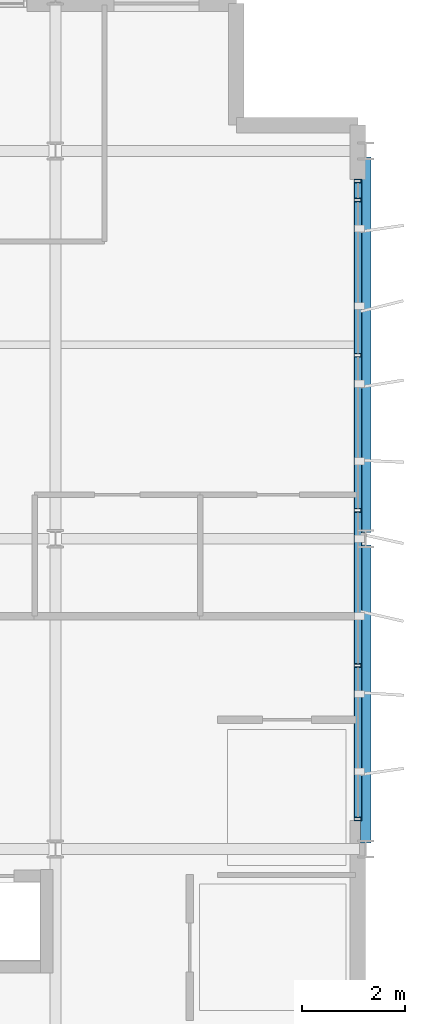
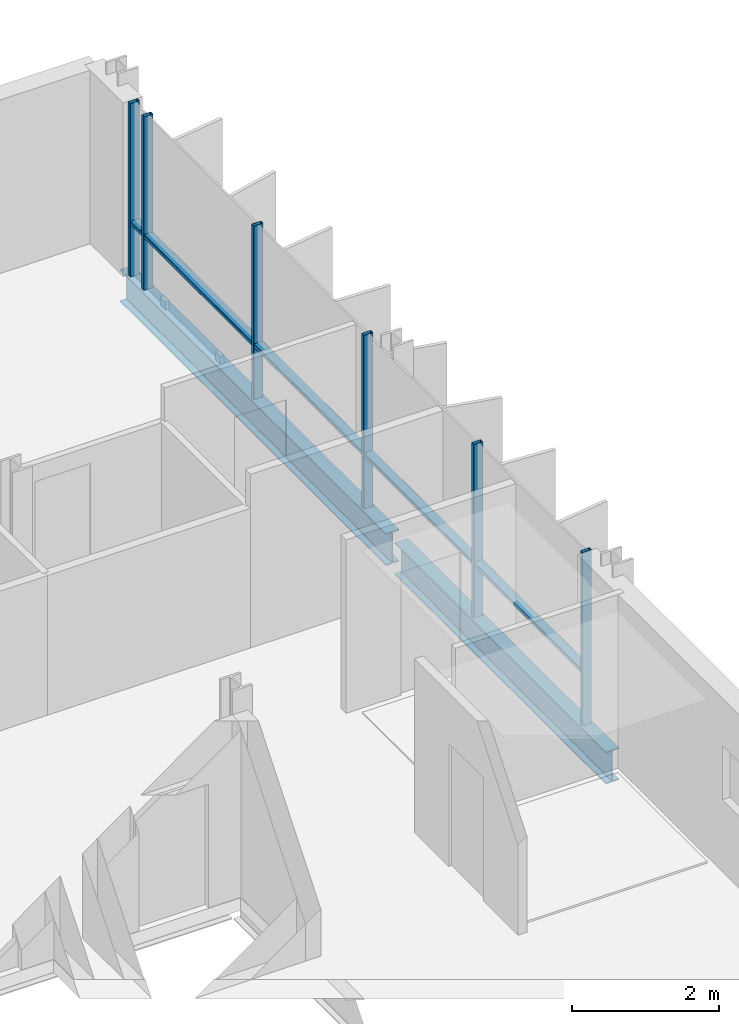
# One storey, part 5 of 12: 11 members, 2 beams, 1 element without a shape of its own.
"""IFC4 building model written with IfcOpenShell, lengths in metres."""

from ifc_helpers import new_model, si_unit, direction, frame, origin, origin_2d, place, context, subcontext, project, spatial, hollow_rectangle, i_section, extrude, material, layer, layer_set, material_profile, profile_set, type_object, element, aggregate, save


model = new_model("IFC4")

# Units and contexts
model_context = context("Model", 3, precision=1e-05, world=origin(), true_north=direction((0.0, 1.0)))
body_context = subcontext(model_context, "Body", "Model", "MODEL_VIEW")
ifc_project = project(units=[si_unit("LENGTHUNIT", "METRE"), si_unit("AREAUNIT", "SQUARE_METRE"), si_unit("VOLUMEUNIT", "CUBIC_METRE"), si_unit("PLANEANGLEUNIT", "RADIAN"), si_unit("MASSUNIT", "GRAM", prefix="KILO")], contexts=[model_context])

# Site, building, storey
site_placement = place(None, origin())
site = spatial("IfcSite", under=ifc_project, at=site_placement, CompositionType="ELEMENT")
building_placement = place(site_placement, origin())
building = spatial("IfcBuilding", under=site, at=building_placement, Name="Brevholm Reach", CompositionType="ELEMENT")
storey_placement = place(building_placement, frame((0.0, 0.0, 230.39990234375)))
storey = spatial("IfcBuildingStorey", under=building, at=storey_placement, Name="L70", CompositionType="ELEMENT", Elevation=230.39990234375)

# Beams
ifc_material_1 = material(Name="Structural Steel S355J2", Category="steel")
ifc_material_profile_1 = material_profile(ifc_material_1, i_section(OverallWidth=0.209228515625, OverallDepth=0.533203125, WebThickness=0.010009765625, FlangeThickness=0.015625, FilletRadius=0.0126953125, at=origin_2d()), Name="UKB 533x210x92")
ifc_profile_set_1 = profile_set([ifc_material_profile_1], Name="Structural Steel S355J2")
beam_type = type_object("IfcBeamType", Name="BM-SP533", PredefinedType="SPANDREL", material=ifc_profile_set_1)
beam_1_placement = place(storey_placement, frame((60.0, 10.1201171875, -0.4765625), z_axis=(0.0, 1.0, 0.0), x_axis=(-1.0, 0.0, 0.0)))
element("IfcBeam", 1, at=beam_1_placement, inside=storey, type_object=beam_type, Name="L70 SP-02 Framing Beam", PredefinedType="SPANDREL", context=body_context, shape_type="SweptSolid", body=[
    extrude(i_section(OverallWidth=0.209228515625, OverallDepth=0.533203125, WebThickness=0.010009765625, FlangeThickness=0.015625, FilletRadius=0.0126953125, at=origin_2d()), origin(), (0.0, 0.0, 1.0), 5.759765625),
])
beam_2_placement = place(storey_placement, frame((60.0, 16.1201171875, -0.4765625), z_axis=(0.0, 1.0, 0.0), x_axis=(-1.0, 0.0, 0.0)))
element("IfcBeam", 2, at=beam_2_placement, inside=storey, type_object=beam_type, Name="L70 SP-02 Framing Beam", PredefinedType="SPANDREL", context=body_context, shape_type="SweptSolid", body=[
    extrude(i_section(OverallWidth=0.209228515625, OverallDepth=0.533203125, WebThickness=0.010009765625, FlangeThickness=0.015625, FilletRadius=0.0126953125, at=origin_2d()), origin(), (0.0, 0.0, 1.0), 7.259765625),
])

# Curtain wall, members
ifc_material_2 = material(Name="Dark Anodised Aluminium 6063-T6 and Solar-Control Glass", Category="aluminium")
ifc_layer = layer(ifc_material_2, 0.14990234375)
ifc_layer_set = layer_set([ifc_layer], Name="Dark Anodised Aluminium 6063-T6 and Solar-Control Glass")
curtain_wall_type = type_object("IfcCurtainWallType", Name="CW-01", PredefinedType="NOTDEFINED", material=ifc_layer_set)
curtain_wall_placement = place(storey_placement, origin())
curtain_wall = element("IfcCurtainWall", 3, at=curtain_wall_placement, inside=storey, type_object=curtain_wall_type, Name="L70 Curtain Wall CW-01", PredefinedType="NOTDEFINED")
ifc_material_3 = material(Name="Dark Anodised Aluminium 6063-T6", Category="aluminium")
ifc_material_profile_2 = material_profile(ifc_material_3, hollow_rectangle(XDim=0.06494140625, YDim=0.14990234375, WallThickness=0.0048828125, InnerFilletRadius=0.0048828125, OuterFilletRadius=0.010009765625, at=origin_2d()), Name="RHS 150x65x5")
ifc_profile_set_2 = profile_set([ifc_material_profile_2], Name="Dark Anodised Aluminium 6063-T6")
member_type_1 = type_object("IfcMemberType", Name="CWM-150", PredefinedType="MULLION", material=ifc_profile_set_2)
member_1_placement = place(storey_placement, frame((59.85009765625, 10.58251953125, 0.0), z_axis=(0.0, 0.0, 1.0), x_axis=(0.0, 1.0, 0.0)))
member_1 = element("IfcMember", 4, at=member_1_placement, type_object=member_type_1, Name="CM-150 Mullion 1", PredefinedType="MULLION", context=body_context, shape_type="SweptSolid", body=[
    extrude(hollow_rectangle(XDim=0.06494140625, YDim=0.14990234375, WallThickness=0.0048828125, InnerFilletRadius=0.0048828125, OuterFilletRadius=0.010009765625, at=origin_2d()), origin(), (0.0, 0.0, 1.0), 2.89013671875),
])
member_2_placement = place(storey_placement, frame((59.85009765625, 13.550048828125, 0.0), z_axis=(0.0, 0.0, 1.0), x_axis=(0.0, 1.0, 0.0)))
member_2 = element("IfcMember", 5, at=member_2_placement, type_object=member_type_1, Name="CM-150 Mullion 2", PredefinedType="MULLION", context=body_context, shape_type="SweptSolid", body=[
    extrude(hollow_rectangle(XDim=0.06494140625, YDim=0.14990234375, WallThickness=0.0048828125, InnerFilletRadius=0.0048828125, OuterFilletRadius=0.010009765625, at=origin_2d()), origin(), (0.0, 0.0, 1.0), 2.89013671875),
])
member_3_placement = place(storey_placement, frame((59.85009765625, 16.550048828125, 0.0), z_axis=(0.0, 0.0, 1.0), x_axis=(0.0, 1.0, 0.0)))
member_3 = element("IfcMember", 6, at=member_3_placement, type_object=member_type_1, Name="CM-150 Mullion 3", PredefinedType="MULLION", context=body_context, shape_type="SweptSolid", body=[
    extrude(hollow_rectangle(XDim=0.06494140625, YDim=0.14990234375, WallThickness=0.0048828125, InnerFilletRadius=0.0048828125, OuterFilletRadius=0.010009765625, at=origin_2d()), origin(), (0.0, 0.0, 1.0), 2.89013671875),
])
member_4_placement = place(storey_placement, frame((59.85009765625, 19.550048828125, 0.0), z_axis=(0.0, 0.0, 1.0), x_axis=(0.0, 1.0, 0.0)))
member_4 = element("IfcMember", 7, at=member_4_placement, type_object=member_type_1, Name="CM-150 Mullion 4", PredefinedType="MULLION", context=body_context, shape_type="SweptSolid", body=[
    extrude(hollow_rectangle(XDim=0.06494140625, YDim=0.14990234375, WallThickness=0.0048828125, InnerFilletRadius=0.0048828125, OuterFilletRadius=0.010009765625, at=origin_2d()), origin(), (0.0, 0.0, 1.0), 2.89013671875),
])
member_5_placement = place(storey_placement, frame((59.85009765625, 22.550048828125, 0.0), z_axis=(0.0, 0.0, 1.0), x_axis=(0.0, 1.0, 0.0)))
member_5 = element("IfcMember", 8, at=member_5_placement, type_object=member_type_1, Name="CM-150 Mullion 5", PredefinedType="MULLION", context=body_context, shape_type="SweptSolid", body=[
    extrude(hollow_rectangle(XDim=0.06494140625, YDim=0.14990234375, WallThickness=0.0048828125, InnerFilletRadius=0.0048828125, OuterFilletRadius=0.010009765625, at=origin_2d()), origin(), (0.0, 0.0, 1.0), 2.89013671875),
])
member_6_placement = place(storey_placement, frame((59.85009765625, 22.91748046875, 0.0), z_axis=(0.0, 0.0, 1.0), x_axis=(0.0, 1.0, 0.0)))
member_6 = element("IfcMember", 9, at=member_6_placement, type_object=member_type_1, Name="CM-150 Mullion 6", PredefinedType="MULLION", context=body_context, shape_type="SweptSolid", body=[
    extrude(hollow_rectangle(XDim=0.06494140625, YDim=0.14990234375, WallThickness=0.0048828125, InnerFilletRadius=0.0048828125, OuterFilletRadius=0.010009765625, at=origin_2d()), origin(), (0.0, 0.0, 1.0), 2.89013671875),
])
ifc_material_4 = material(Name="Dark Anodised Aluminium 6063-T6", Category="aluminium")
ifc_material_profile_3 = material_profile(ifc_material_4, hollow_rectangle(XDim=0.06494140625, YDim=0.14990234375, WallThickness=0.0048828125, InnerFilletRadius=0.0048828125, OuterFilletRadius=0.010009765625, at=origin_2d()), Name="RHS 150x65x5")
ifc_profile_set_3 = profile_set([ifc_material_profile_3], Name="Dark Anodised Aluminium 6063-T6")
member_type_2 = type_object("IfcMemberType", Name="CWT-150", PredefinedType="NOTDEFINED", material=ifc_profile_set_3)
member_7_placement = place(storey_placement, frame((59.85009765625, 10.614990234375, 0.900146484375), z_axis=(0.0, 1.0, 0.0), x_axis=(0.0, 0.0, 1.0)))
member_7 = element("IfcMember", 10, at=member_7_placement, type_object=member_type_2, Name="CT-150 Transom 1.1", ObjectType="TRANSOM", PredefinedType="USERDEFINED", context=body_context, shape_type="SweptSolid", body=[
    extrude(hollow_rectangle(XDim=0.06494140625, YDim=0.14990234375, WallThickness=0.0048828125, InnerFilletRadius=0.0048828125, OuterFilletRadius=0.010009765625, at=origin_2d()), origin(), (0.0, 0.0, 1.0), 2.902587890625),
])
member_8_placement = place(storey_placement, frame((59.85009765625, 13.58251953125, 0.900146484375), z_axis=(0.0, 1.0, 0.0), x_axis=(0.0, 0.0, 1.0)))
member_8 = element("IfcMember", 11, at=member_8_placement, type_object=member_type_2, Name="CT-150 Transom 2.1", ObjectType="TRANSOM", PredefinedType="USERDEFINED", context=body_context, shape_type="SweptSolid", body=[
    extrude(hollow_rectangle(XDim=0.06494140625, YDim=0.14990234375, WallThickness=0.0048828125, InnerFilletRadius=0.0048828125, OuterFilletRadius=0.010009765625, at=origin_2d()), origin(), (0.0, 0.0, 1.0), 2.93505859375),
])
member_9_placement = place(storey_placement, frame((59.85009765625, 16.58251953125, 0.900146484375), z_axis=(0.0, 1.0, 0.0), x_axis=(0.0, 0.0, 1.0)))
member_9 = element("IfcMember", 12, at=member_9_placement, type_object=member_type_2, Name="CT-150 Transom 3.1", ObjectType="TRANSOM", PredefinedType="USERDEFINED", context=body_context, shape_type="SweptSolid", body=[
    extrude(hollow_rectangle(XDim=0.06494140625, YDim=0.14990234375, WallThickness=0.0048828125, InnerFilletRadius=0.0048828125, OuterFilletRadius=0.010009765625, at=origin_2d()), origin(), (0.0, 0.0, 1.0), 2.93505859375),
])
member_10_placement = place(storey_placement, frame((59.85009765625, 19.58251953125, 0.900146484375), z_axis=(0.0, 1.0, 0.0), x_axis=(0.0, 0.0, 1.0)))
member_10 = element("IfcMember", 13, at=member_10_placement, type_object=member_type_2, Name="CT-150 Transom 4.1", ObjectType="TRANSOM", PredefinedType="USERDEFINED", context=body_context, shape_type="SweptSolid", body=[
    extrude(hollow_rectangle(XDim=0.06494140625, YDim=0.14990234375, WallThickness=0.0048828125, InnerFilletRadius=0.0048828125, OuterFilletRadius=0.010009765625, at=origin_2d()), origin(), (0.0, 0.0, 1.0), 2.93505859375),
])
member_11_placement = place(storey_placement, frame((59.85009765625, 22.58251953125, 0.900146484375), z_axis=(0.0, 1.0, 0.0), x_axis=(0.0, 0.0, 1.0)))
member_11 = element("IfcMember", 14, at=member_11_placement, type_object=member_type_2, Name="CT-150 Transom 5.1", ObjectType="TRANSOM", PredefinedType="USERDEFINED", context=body_context, shape_type="SweptSolid", body=[
    extrude(hollow_rectangle(XDim=0.06494140625, YDim=0.14990234375, WallThickness=0.0048828125, InnerFilletRadius=0.0048828125, OuterFilletRadius=0.010009765625, at=origin_2d()), origin(), (0.0, 0.0, 1.0), 0.302490234375),
])
aggregate(curtain_wall, [member_1, member_2, member_3, member_4, member_5, member_6, member_7, member_8, member_9, member_10, member_11])

save(model, "model.ifc")
